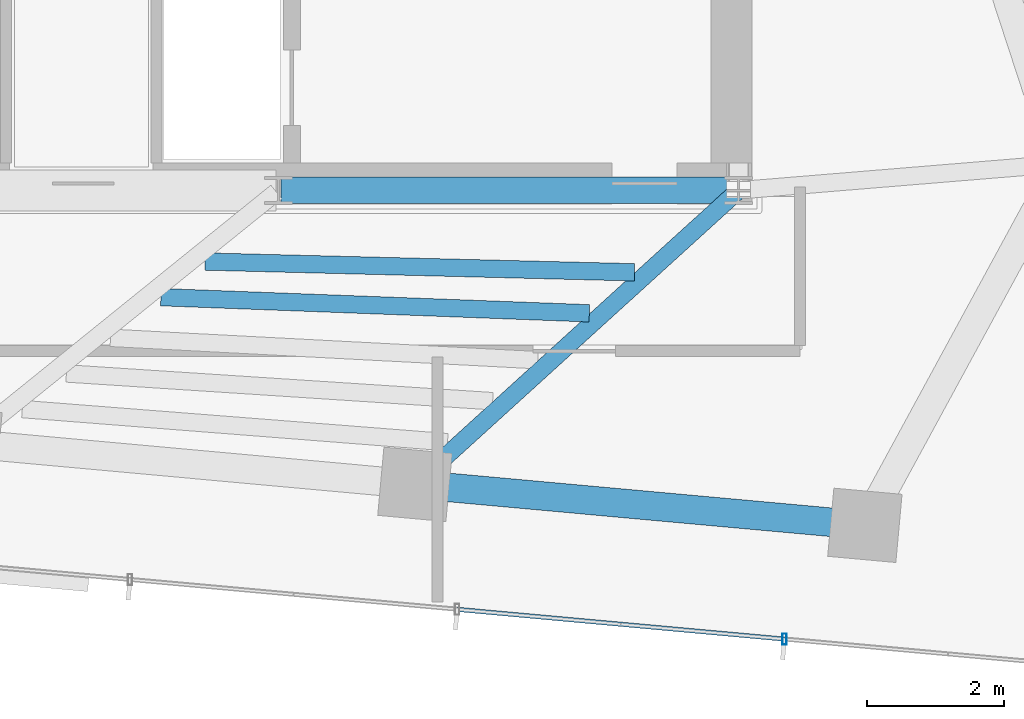
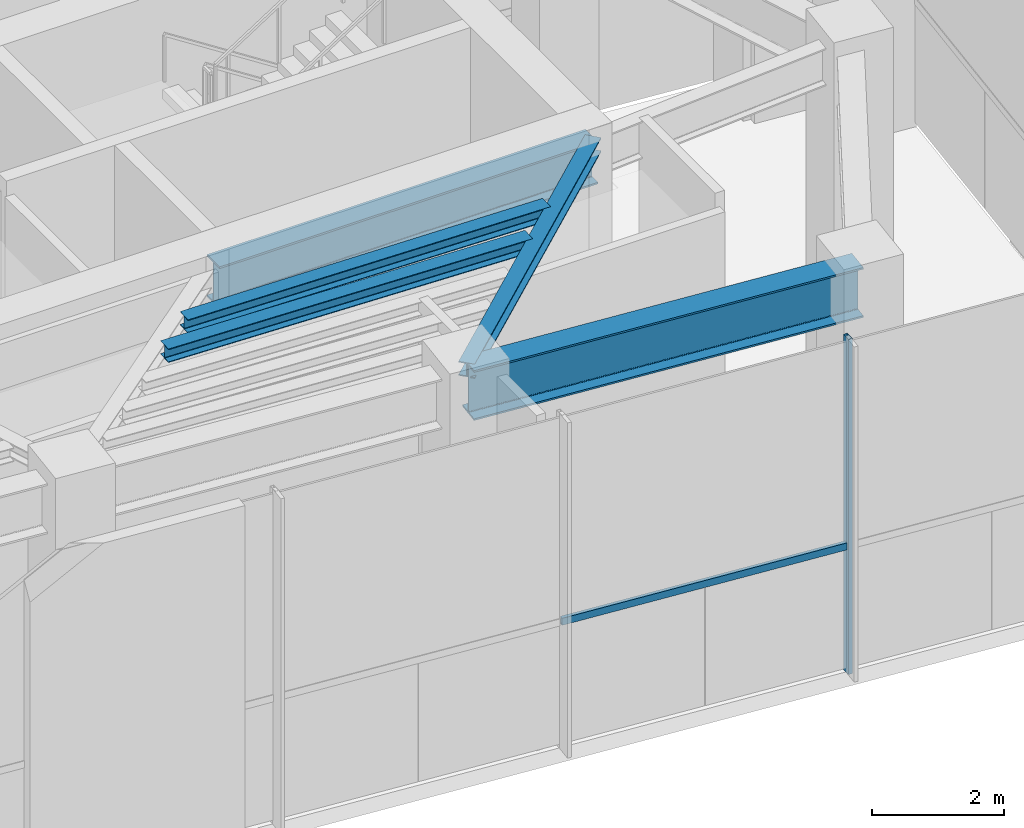
# One storey, part 7 of 18: 5 beams, 2 members, 1 element without a shape of its own.
"""IFC4 building model written with IfcOpenShell, lengths in metres."""

from ifc_helpers import new_model, si_unit, direction, frame, origin, origin_2d, place, context, subcontext, project, spatial, hollow_rectangle, i_section, extrude, source, transform, mapped, material, material_profile, profile_set, type_object, type_shapes, element, aggregate, save


model = new_model("IFC4")

# Units and contexts
model_context = context("Model", 3, precision=1e-05, world=origin(), true_north=direction((0.0, 1.0)))
body_context = subcontext(model_context, "Body", "Model", "MODEL_VIEW")
ifc_project = project(units=[si_unit("LENGTHUNIT", "METRE"), si_unit("AREAUNIT", "SQUARE_METRE"), si_unit("VOLUMEUNIT", "CUBIC_METRE"), si_unit("PLANEANGLEUNIT", "RADIAN"), si_unit("MASSUNIT", "GRAM", prefix="KILO")], contexts=[model_context])

# Site, building, storey
site_placement = place(None, origin())
site = spatial("IfcSite", under=ifc_project, at=site_placement, CompositionType="ELEMENT")
building_placement = place(site_placement, origin())
building = spatial("IfcBuilding", under=site, at=building_placement, Name="Astriad Promenade Condominiums", CompositionType="ELEMENT")
storey_placement = place(building_placement, frame((0.0, 0.0, 277.300048828125)))
storey = spatial("IfcBuildingStorey", under=building, at=storey_placement, Name="L78", CompositionType="ELEMENT", Elevation=277.300048828125)

# Beams
ifc_material_1 = material(Name="Steel ASTM A992 Grade 50", Category="steel")
ifc_material_profile_1 = material_profile(ifc_material_1, i_section(OverallWidth=0.3837890625, OverallDepth=0.785888671875, WebThickness=0.019775390625, FlangeThickness=0.033447265625, FilletRadius=0.021484375, at=origin_2d()), Name="W30X211")
ifc_profile_set_1 = profile_set([ifc_material_profile_1], Name="Steel ASTM A992 Grade 50")
beam_type_1 = type_object("IfcBeamType", Name="STEEL FLOOR GIRDER W30X211", PredefinedType="BEAM", material=ifc_profile_set_1)
shared_shape_1 = source(origin(), body_context, "Body", "SweptSolid", [
    extrude(i_section(OverallWidth=0.3837890625, OverallDepth=0.785888671875, WebThickness=0.019775390625, FlangeThickness=0.033447265625, FilletRadius=0.021484375, at=origin_2d()), origin(), (0.0, 0.0, 1.0), 6.64013671875),
])
type_shapes(beam_type_1, [shared_shape_1])
beam_1_placement = place(storey_placement, frame((38.919921875, 17.39990234375, 5.826904296875), z_axis=(1.0, 0.0, 0.0), x_axis=(0.0, 1.0, 0.0)))
element("IfcBeam", 1, at=beam_1_placement, inside=storey, type_object=beam_type_1, Name="Core Ring Beam CG-S3-L78", PredefinedType="BEAM", context=body_context, shape_type="MappedRepresentation", body=[
    mapped(shared_shape_1, transform((0.0, 0.0, 0.0), scale=1.0)),
])
ifc_material_profile_2 = material_profile(ifc_material_1, i_section(OverallWidth=0.25732421875, OverallDepth=0.26416015625, WebThickness=0.011962890625, FlangeThickness=0.01953125, FilletRadius=0.0126953125, at=origin_2d()), Name="W10X68")
ifc_profile_set_2 = profile_set([ifc_material_profile_2], Name="Steel ASTM A992 Grade 50")
beam_type_2 = type_object("IfcBeamType", Name="STEEL CANOPY BEAM W10X68", PredefinedType="BEAM", material=ifc_profile_set_2)
shared_shape_2 = source(origin(), body_context, "Body", "SweptSolid", [
    extrude(i_section(OverallWidth=0.25732421875, OverallDepth=0.26416015625, WebThickness=0.011962890625, FlangeThickness=0.01953125, FilletRadius=0.0126953125, at=origin_2d()), origin(), (0.0, 0.0, 1.0), 6.307373046875),
])
type_shapes(beam_type_2, [shared_shape_2])
beam_2_placement = place(storey_placement, frame((40.902099609375, 13.13134765625, 6.087890625), z_axis=(0.740108187387, 0.672487822167, 0.0), x_axis=(-0.672487822167, 0.740108187387, 0.0)))
element("IfcBeam", 2, at=beam_2_placement, inside=storey, type_object=beam_type_2, Name="Primary Floor Girder PG-E2-L78", PredefinedType="BEAM", context=body_context, shape_type="MappedRepresentation", body=[
    mapped(shared_shape_2, transform((0.0, 0.0, 0.0), scale=1.0)),
])
ifc_material_profile_3 = material_profile(ifc_material_1, i_section(OverallWidth=0.418212890625, OverallDepth=0.926513671875, WebThickness=0.019287109375, FlangeThickness=0.031982421875, FilletRadius=0.024169921875, at=origin_2d()), Name="W36X231")
ifc_profile_set_3 = profile_set([ifc_material_profile_3], Name="Steel ASTM A992 Grade 50")
beam_type_3 = type_object("IfcBeamType", Name="STEEL CROWN RING BEAM W36X231", PredefinedType="BEAM", material=ifc_profile_set_3)
shared_shape_3 = source(origin(), body_context, "Body", "SweptSolid", [
    extrude(i_section(OverallWidth=0.418212890625, OverallDepth=0.926513671875, WebThickness=0.019287109375, FlangeThickness=0.031982421875, FilletRadius=0.024169921875, at=origin_2d()), origin(), (0.0, 0.0, 1.0), 6.52001953125),
])
type_shapes(beam_type_3, [shared_shape_3])
beam_3_placement = place(storey_placement, frame((40.912353515625, 13.100830078125, 5.756591796875), z_axis=(0.995885836952, -0.090616774155, 0.0), x_axis=(0.090616774155, 0.995885836952, 0.0)))
element("IfcBeam", 3, at=beam_3_placement, inside=storey, type_object=beam_type_3, Name="Perimeter Spandrel Beam SP-S4-L78", PredefinedType="BEAM", context=body_context, shape_type="MappedRepresentation", body=[
    mapped(shared_shape_3, transform((0.0, 0.0, 0.0), scale=1.0)),
])
ifc_material_profile_4 = material_profile(ifc_material_1, i_section(OverallWidth=0.25390625, OverallDepth=0.25390625, WebThickness=0.008544921875, FlangeThickness=0.01416015625, FilletRadius=0.0126953125, at=origin_2d()), Name="W10X49")
ifc_profile_set_4 = profile_set([ifc_material_profile_4], Name="Steel ASTM A992 Grade 50")
beam_type_4 = type_object("IfcBeamType", Name="STEEL TRIMMER JOIST W10X49", PredefinedType="JOIST", material=ifc_profile_set_4)
shared_shape_4 = source(origin(), body_context, "Body", "SweptSolid", [
    extrude(i_section(OverallWidth=0.25390625, OverallDepth=0.25390625, WebThickness=0.008544921875, FlangeThickness=0.01416015625, FilletRadius=0.0126953125, at=origin_2d()), origin(), (0.0, 0.0, 1.0), 6.263427734375),
])
beam_4_placement = place(storey_placement, frame((37.161865234375, 15.83935546875, 6.093017578125), z_axis=(0.999289399614, -0.03769211879, 0.0), x_axis=(0.03769211879, 0.999289399614, 0.0)))
element("IfcBeam", 4, at=beam_4_placement, inside=storey, type_object=beam_type_4, Name="Secondary Composite Floor Joist JCE-4-L78", PredefinedType="JOIST", context=body_context, shape_type="MappedRepresentation", body=[
    mapped(shared_shape_4, transform((0.0, 0.0, 0.0), scale=1.0)),
])
shared_shape_5 = source(origin(), body_context, "Body", "SweptSolid", [
    extrude(i_section(OverallWidth=0.25390625, OverallDepth=0.25390625, WebThickness=0.008544921875, FlangeThickness=0.01416015625, FilletRadius=0.0126953125, at=origin_2d()), origin(), (0.0, 0.0, 1.0), 6.27587890625),
])
type_shapes(beam_type_4, [shared_shape_4, shared_shape_5])
beam_5_placement = place(storey_placement, frame((37.80615234375, 16.359619140625, 6.093017578125), z_axis=(0.999685163085, -0.025091327348, 0.0), x_axis=(0.025091327348, 0.999685163085, 0.0)))
element("IfcBeam", 5, at=beam_5_placement, inside=storey, type_object=beam_type_4, Name="Secondary Composite Floor Joist JCE-5-L78", PredefinedType="JOIST", context=body_context, shape_type="MappedRepresentation", body=[
    mapped(shared_shape_5, transform((0.0, 0.0, 0.0), scale=1.0)),
])

# Curtain wall, members
ifc_material_2 = material(Name="Anodised aluminium Black Dark Glass Unitised", Category="aluminium")
curtain_wall_type = type_object("IfcCurtainWallType", Name="CW-TMD-LANTERN", PredefinedType="USERDEFINED", material=ifc_material_2)
curtain_wall_placement = place(storey_placement, origin())
curtain_wall = element("IfcCurtainWall", 6, at=curtain_wall_placement, inside=storey, type_object=curtain_wall_type, Name="CW-CRN-L78-18", ObjectType="UNITISED_CURTAIN_WALL", PredefinedType="USERDEFINED")
ifc_material_3 = material(Name="Anodised aluminium 6063-T6 Black", Category="aluminium")
ifc_material_profile_5 = material_profile(ifc_material_3, hollow_rectangle(XDim=0.06494140625, YDim=0.159912109375, WallThickness=0.00390625, at=origin_2d()), Name="ALU-MUL-65X160")
ifc_profile_set_5 = profile_set([ifc_material_profile_5], Name="Anodised aluminium 6063-T6 Black")
member_type_1 = type_object("IfcMemberType", Name="MUL-ALU-MUL-65X160", PredefinedType="MULLION", material=ifc_profile_set_5)
shared_shape_6 = source(origin(), body_context, "Body", "SweptSolid", [
    extrude(hollow_rectangle(XDim=0.06494140625, YDim=0.159912109375, WallThickness=0.00390625, at=origin_2d()), origin(), (0.0, 0.0, 1.0), 6.219970703125),
])
type_shapes(member_type_1, [shared_shape_6])
member_1_placement = place(storey_placement, frame((46.27099609375, 10.84326171875, 0.0), z_axis=(0.0, 0.0, 1.0), x_axis=(1.0, 0.0, 0.0)))
member_1 = element("IfcMember", 7, at=member_1_placement, type_object=member_type_1, Name="CW-CRN-L78-18-MUL-01", PredefinedType="MULLION", context=body_context, shape_type="MappedRepresentation", body=[
    mapped(shared_shape_6, transform((0.0, 0.0, 0.0), scale=1.0)),
])
ifc_material_profile_6 = material_profile(ifc_material_3, hollow_rectangle(XDim=0.06494140625, YDim=0.1298828125, WallThickness=0.00390625, at=origin_2d()), Name="ALU-TRN-65X130")
ifc_profile_set_6 = profile_set([ifc_material_profile_6], Name="Anodised aluminium 6063-T6 Black")
member_type_2 = type_object("IfcMemberType", Name="TRN-ALU-TRN-65X130", PredefinedType="USERDEFINED", material=ifc_profile_set_6)
shared_shape_7 = source(origin(), body_context, "Body", "SweptSolid", [
    extrude(hollow_rectangle(XDim=0.06494140625, YDim=0.1298828125, WallThickness=0.00390625, at=origin_2d()), origin(), (0.0, 0.0, 1.0), 4.80029296875),
])
type_shapes(member_type_2, [shared_shape_7])
member_2_placement = place(storey_placement, frame((46.27099609375, 10.84326171875, 2.349853515625), z_axis=(-0.995884447267, 0.090632045607, 0.0), x_axis=(-0.090632045607, -0.995884447267, 0.0)))
member_2 = element("IfcMember", 8, at=member_2_placement, type_object=member_type_2, Name="CW-CRN-L78-18-TRN-01-0", ObjectType="TRANSOM", PredefinedType="USERDEFINED", context=body_context, shape_type="MappedRepresentation", body=[
    mapped(shared_shape_7, transform((0.0, 0.0, 0.0), scale=1.0)),
])
aggregate(curtain_wall, [member_1, member_2])

save(model, "model.ifc")
